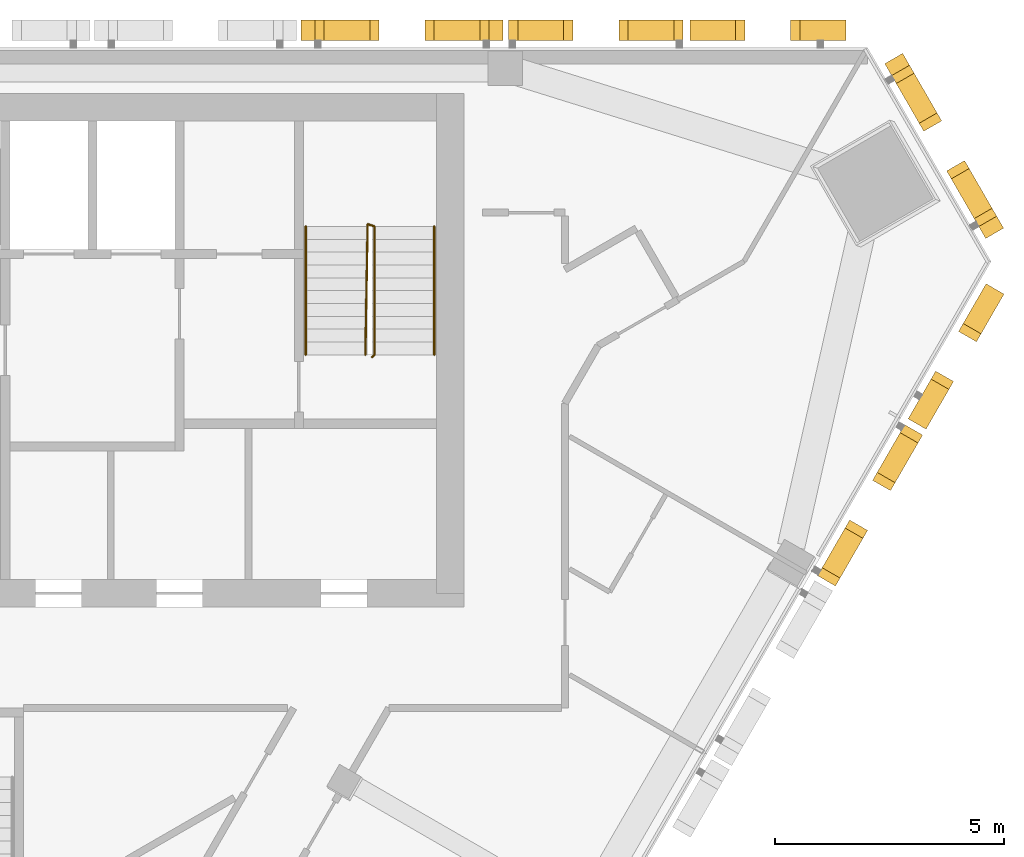
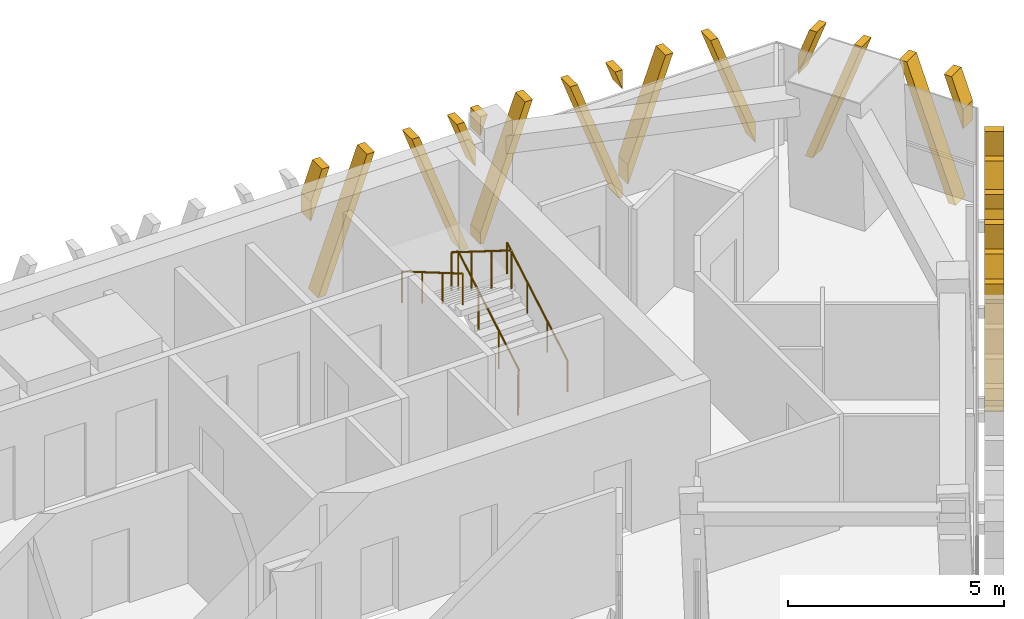
# One storey, part 13 of 14: 6 shading devices, 3 railings.
"""IFC4 building model written with IfcOpenShell, lengths in metres."""

from ifc_helpers import new_model, si_unit, direction, frame, origin, origin_2d, place, context, subcontext, project, spatial, polyline, circle, outline, extrude, source, transform, mapped, material, type_object, element, save


model = new_model("IFC4")

# Units and contexts
model_context = context("Model", 3, precision=1e-05, world=origin(), true_north=direction((0.0, 1.0)))
body_context = subcontext(model_context, "Body", "Model", "MODEL_VIEW")
ifc_project = project(units=[si_unit("LENGTHUNIT", "METRE"), si_unit("AREAUNIT", "SQUARE_METRE"), si_unit("VOLUMEUNIT", "CUBIC_METRE"), si_unit("PLANEANGLEUNIT", "RADIAN"), si_unit("MASSUNIT", "GRAM", prefix="KILO")], contexts=[model_context])

# Site, building, storey
site_placement = place(None, origin())
site = spatial("IfcSite", under=ifc_project, at=site_placement, CompositionType="ELEMENT")
building_placement = place(site_placement, origin())
building = spatial("IfcBuilding", under=site, at=building_placement, Name="Altiplano Prism Tower", CompositionType="ELEMENT")
storey_placement = place(building_placement, frame((0.0, 0.0, 242.800048828125)))
storey = spatial("IfcBuildingStorey", under=building, at=storey_placement, Name="L62", CompositionType="ELEMENT", Elevation=242.800048828125)

# Railings
ifc_material_1 = material(Name="Steel S355", Category="steel")
railing_type_1 = type_object("IfcRailingType", Name="Stair guard 1100", PredefinedType="GUARDRAIL", material=ifc_material_1)
railing_1_placement = place(storey_placement, frame((95.60009765625, 98.25, 0.0)))
element("IfcRailing", 1, at=railing_1_placement, inside=storey, type_object=railing_type_1, Name="L62 ST2 stair guard 1", PredefinedType="GUARDRAIL", context=body_context, shape_type="SweptSolid", body=[
    extrude(circle(Radius=0.02392578125, at=origin_2d()), frame((0.0, 0.0, 1.076171875), z_axis=(0.279546231943, 0.280916556609, 0.91811752648), x_axis=(-0.708833529934, 0.705375805398, 0.0)), (0.0, 0.0, 1.0), 0.17822265625),
    extrude(circle(Radius=0.02392578125, at=origin_2d()), frame((0.0498046875, 0.050048828125, 1.23974609375), z_axis=(0.0, 0.863360870873, 0.504586966384), x_axis=(-1.0, 0.0, 0.0)), (0.0, 0.0, 1.0), 3.2431640625),
    extrude(circle(Radius=0.02392578125, at=origin_2d()), frame((0.0498046875, 2.85009765625, 2.8759765625), z_axis=(-0.948991962702, 0.315300261223, 0.0), x_axis=(-0.315300261223, -0.948991962702, 0.0)), (0.0, 0.0, 1.0), 0.157958984375),
    extrude(circle(Radius=0.02392578125, at=origin_2d()), frame((-0.10009765625, 2.89990234375, 2.8759765625), z_axis=(-0.014846992469, -0.845409478506, 0.533912334065), x_axis=(0.999845825584, -0.017559187376, 0.0)), (0.0, 0.0, 1.0), 3.37109375),
    extrude(circle(Radius=0.02099609375, at=origin_2d()), origin(), (0.0, 0.0, 1.0), 1.052001953125),
    extrude(circle(Radius=0.02099609375, at=origin_2d()), frame((0.0498046875, 0.050048828125, 0.16357421875)), (0.0, 0.0, 1.0), 1.052001953125),
    extrude(circle(Radius=0.02099609375, at=origin_2d()), frame((0.0498046875, 0.9833984375, 0.708984375)), (0.0, 0.0, 1.0), 1.052001953125),
    extrude(circle(Radius=0.02099609375, at=origin_2d()), frame((0.0498046875, 1.916748046875, 1.254638671875)), (0.0, 0.0, 1.0), 1.052001953125),
    extrude(circle(Radius=0.02099609375, at=origin_2d()), frame((0.0498046875, 2.85009765625, 1.800048828125)), (0.0, 0.0, 1.0), 1.052001953125),
    extrude(circle(Radius=0.02099609375, at=origin_2d()), frame((-0.10009765625, 2.89990234375, 1.800048828125)), (0.0, 0.0, 1.0), 1.052001953125),
    extrude(circle(Radius=0.02099609375, at=origin_2d()), frame((-0.11669921875, 1.949951171875, 2.39990234375)), (0.0, 0.0, 1.0), 1.052001953125),
    extrude(circle(Radius=0.02099609375, at=origin_2d()), frame((-0.133544921875, 1.0, 3.0)), (0.0, 0.0, 1.0), 1.052001953125),
    extrude(circle(Radius=0.02099609375, at=origin_2d()), frame((-0.150146484375, 0.050048828125, 3.599853515625)), (0.0, 0.0, 1.0), 1.052001953125),
])
railing_type_2 = type_object("IfcRailingType", Name="Stair handrail 900", PredefinedType="HANDRAIL", material=ifc_material_1)
railing_2_placement = place(storey_placement, frame((96.949951171875, 98.300048828125, 0.16357421875)))
element("IfcRailing", 2, at=railing_2_placement, inside=storey, type_object=railing_type_2, Name="L62 ST2 stair handrail 1", PredefinedType="HANDRAIL", context=body_context, shape_type="SweptSolid", body=[
    extrude(circle(Radius=0.02392578125, at=origin_2d()), frame((0.0, 0.0, 0.8759765625), z_axis=(0.0, 0.863360870873, 0.504586966384), x_axis=(-1.0, 0.0, 0.0)), (0.0, 0.0, 1.0), 3.2431640625),
    extrude(circle(Radius=0.02099609375, at=origin_2d()), origin(), (0.0, 0.0, 1.0), 0.851806640625),
    extrude(circle(Radius=0.02099609375, at=origin_2d()), frame((0.0, 0.933349609375, 0.54541015625)), (0.0, 0.0, 1.0), 0.851806640625),
    extrude(circle(Radius=0.02099609375, at=origin_2d()), frame((0.0, 1.86669921875, 1.091064453125)), (0.0, 0.0, 1.0), 0.851806640625),
    extrude(circle(Radius=0.02099609375, at=origin_2d()), frame((0.0, 2.800048828125, 1.636474609375)), (0.0, 0.0, 1.0), 0.851806640625),
])
railing_3_placement = place(storey_placement, frame((94.14990234375, 101.10009765625, 1.963623046875)))
element("IfcRailing", 3, at=railing_3_placement, inside=storey, type_object=railing_type_2, Name="L62 ST2 stair handrail 2", PredefinedType="HANDRAIL", context=body_context, shape_type="SweptSolid", body=[
    extrude(circle(Radius=0.02392578125, at=origin_2d()), frame((0.0, 0.0, 0.8759765625), z_axis=(0.0, -0.863393664356, 0.504530851732), x_axis=(1.0, 0.0, 0.0)), (0.0, 0.0, 1.0), 3.2431640625),
    extrude(circle(Radius=0.02099609375, at=origin_2d()), origin(), (0.0, 0.0, 1.0), 0.851806640625),
    extrude(circle(Radius=0.02099609375, at=origin_2d()), frame((0.0, -0.933349609375, 0.54541015625)), (0.0, 0.0, 1.0), 0.851806640625),
    extrude(circle(Radius=0.02099609375, at=origin_2d()), frame((0.0, -1.86669921875, 1.0908203125)), (0.0, 0.0, 1.0), 0.851806640625),
    extrude(circle(Radius=0.02099609375, at=origin_2d()), frame((0.0, -2.800048828125, 1.63623046875)), (0.0, 0.0, 1.0), 0.851806640625),
])

# Shading devices
ifc_material_2 = material(Name="Warm limestone cast stone", Category="masonry")
shading_device_type_1 = type_object("IfcShadingDeviceType", Name="Stone fin panel, standard unit", PredefinedType="USERDEFINED", material=ifc_material_2)
shared_shape_1 = source(origin(), body_context, "Body", "SweptSolid", [
    extrude(outline(polyline([(-2.199951171875, 2.226318359375), (-1.699951171875, 3.60009765625), (-1.89990234375, 3.60009765625), (-2.199951171875, 2.77587890625), (-2.199951171875, 2.226318359375)])), frame((0.0, -0.14990234375, 0.0), z_axis=(0.0, -1.0, 0.0), x_axis=(1.0, 0.0, 0.0)), (0.0, 0.0, 1.0), 0.4501953125),
    extrude(outline(polyline([(-2.01025390625, 0.0), (-1.810302734375, 0.0), (-0.5, 3.60009765625), (-0.699951171875, 3.60009765625), (-2.01025390625, 0.0)])), frame((0.0, -0.14990234375, 0.0), z_axis=(0.0, -1.0, 0.0), x_axis=(1.0, 0.0, 0.0)), (0.0, 0.0, 1.0), 0.4501953125),
    extrude(outline(polyline([(1.810302734375, 0.0), (2.01025390625, 0.0), (0.699951171875, 3.60009765625), (0.5, 3.60009765625), (1.810302734375, 0.0)])), frame((0.0, -0.14990234375, 0.0), z_axis=(0.0, -1.0, 0.0), x_axis=(1.0, 0.0, 0.0)), (0.0, 0.0, 1.0), 0.4501953125),
    extrude(outline(polyline([(2.199951171875, 2.77587890625), (1.89990234375, 3.60009765625), (1.699951171875, 3.60009765625), (2.199951171875, 2.226318359375), (2.199951171875, 2.77587890625)])), frame((0.0, -0.14990234375, 0.0), z_axis=(0.0, -1.0, 0.0), x_axis=(1.0, 0.0, 0.0)), (0.0, 0.0, 1.0), 0.4501953125),
])
shading_device_1_placement = place(storey_placement, origin())
element("IfcShadingDevice", 4, at=shading_device_1_placement, inside=storey, type_object=shading_device_type_1, Name="Fin L62 north face 3", ObjectType="FIN", PredefinedType="USERDEFINED", context=body_context, shape_type="MappedRepresentation", body=[
    mapped(shared_shape_1, transform((96.25, 105.0, -0.400146484375), x_axis=(-1.0, 0.0, 0.0), y_axis=(0.0, -1.0, 0.0), z_axis=(0.0, 0.0, 1.0))),
])
shading_device_type_2 = type_object("IfcShadingDeviceType", Name="Stone fin panel, chamfer unit", PredefinedType="USERDEFINED", material=ifc_material_2)
shading_device_2_placement = place(storey_placement, origin())
element("IfcShadingDevice", 5, at=shading_device_2_placement, inside=storey, type_object=shading_device_type_2, Name="Fin L62 north-east chamfer 1", ObjectType="FIN", PredefinedType="USERDEFINED", context=body_context, shape_type="MappedRepresentation", body=[
    mapped(shared_shape_1, transform((107.74365234375, 102.667724609375, -0.400146484375), x_axis=(-0.500000014304, 0.866025395526, 0.0), y_axis=(-0.866025395526, -0.500000014304, 0.0), z_axis=(0.0, 0.0, 1.0))),
])
shading_device_type_3 = type_object("IfcShadingDeviceType", Name="Stone fin panel, narrow closing bay", PredefinedType="USERDEFINED", material=ifc_material_2)
shared_shape_2 = source(origin(), body_context, "Body", "SweptSolid", [
    extrude(outline(polyline([(-1.699951171875, 0.302978515625), (-0.5, 3.60009765625), (-0.699951171875, 3.60009765625), (-1.699951171875, 0.8525390625), (-1.699951171875, 0.302978515625)])), frame((0.0, -0.14990234375, 0.0), z_axis=(0.0, -1.0, 0.0), x_axis=(1.0, 0.0, 0.0)), (0.0, 0.0, 1.0), 0.4501953125),
    extrude(outline(polyline([(1.699951171875, 0.8525390625), (0.699951171875, 3.60009765625), (0.5, 3.60009765625), (1.699951171875, 0.302978515625), (1.699951171875, 0.8525390625)])), frame((0.0, -0.14990234375, 0.0), z_axis=(0.0, -1.0, 0.0), x_axis=(1.0, 0.0, 0.0)), (0.0, 0.0, 1.0), 0.4501953125),
])
shading_device_3_placement = place(storey_placement, origin())
element("IfcShadingDevice", 6, at=shading_device_3_placement, inside=storey, type_object=shading_device_type_3, Name="Fin L62 north face 1", ObjectType="FIN", PredefinedType="USERDEFINED", context=body_context, shape_type="MappedRepresentation", body=[
    mapped(shared_shape_2, transform((104.222900390625, 105.0, -0.400146484375), x_axis=(-1.0, 0.0, 0.0), y_axis=(0.0, -1.0, 0.0), z_axis=(0.0, 0.0, 1.0))),
])
shading_device_4_placement = place(storey_placement, origin())
element("IfcShadingDevice", 7, at=shading_device_4_placement, inside=storey, type_object=shading_device_type_3, Name="Fin L62 south-east face 10", ObjectType="FIN", PredefinedType="USERDEFINED", context=body_context, shape_type="MappedRepresentation", body=[
    mapped(shared_shape_2, transform((108.0029296875, 98.45263671875, -0.400146484375), x_axis=(0.500000003773, 0.866025401606, 0.0), y_axis=(-0.866025401606, 0.500000003773, 0.0), z_axis=(0.0, 0.0, 1.0))),
])
shared_shape_3 = source(origin(), body_context, "Body", "SweptSolid", [
    extrude(outline(polyline([(-1.89990234375, 0.0), (-1.810302734375, 0.0), (-0.5, 3.60009765625), (-0.699951171875, 3.60009765625), (-1.89990234375, 0.302978515625), (-1.89990234375, 0.0)])), frame((0.0, -0.14990234375, 0.0), z_axis=(0.0, -1.0, 0.0), x_axis=(1.0, 0.0, 0.0)), (0.0, 0.0, 1.0), 0.4501953125),
    extrude(outline(polyline([(-1.89990234375, 3.050537109375), (-1.699951171875, 3.60009765625), (-1.89990234375, 3.60009765625), (-1.89990234375, 3.050537109375)])), frame((0.0, -0.14990234375, 0.0), z_axis=(0.0, -1.0, 0.0), x_axis=(1.0, 0.0, 0.0)), (0.0, 0.0, 1.0), 0.4501953125),
    extrude(outline(polyline([(1.810302734375, 0.0), (1.89990234375, 0.0), (1.89990234375, 0.302978515625), (0.699951171875, 3.60009765625), (0.5, 3.60009765625), (1.810302734375, 0.0)])), frame((0.0, -0.14990234375, 0.0), z_axis=(0.0, -1.0, 0.0), x_axis=(1.0, 0.0, 0.0)), (0.0, 0.0, 1.0), 0.4501953125),
    extrude(outline(polyline([(1.89990234375, 3.60009765625), (1.699951171875, 3.60009765625), (1.89990234375, 3.050537109375), (1.89990234375, 3.60009765625)])), frame((0.0, -0.14990234375, 0.0), z_axis=(0.0, -1.0, 0.0), x_axis=(1.0, 0.0, 0.0)), (0.0, 0.0, 1.0), 0.4501953125),
])
shading_device_5_placement = place(storey_placement, origin())
element("IfcShadingDevice", 8, at=shading_device_5_placement, inside=storey, type_object=shading_device_type_3, Name="Fin L62 north face 2", ObjectType="FIN", PredefinedType="USERDEFINED", context=body_context, shape_type="MappedRepresentation", body=[
    mapped(shared_shape_3, transform((100.474365234375, 105.0, -0.400146484375), x_axis=(-1.0, 0.0, 0.0), y_axis=(0.0, -1.0, 0.0), z_axis=(0.0, 0.0, 1.0))),
])
shading_device_6_placement = place(storey_placement, origin())
element("IfcShadingDevice", 9, at=shading_device_6_placement, inside=storey, type_object=shading_device_type_3, Name="Fin L62 south-east face 9", ObjectType="FIN", PredefinedType="USERDEFINED", context=body_context, shape_type="MappedRepresentation", body=[
    mapped(shared_shape_3, transform((106.128662109375, 95.206298828125, -0.400146484375), x_axis=(0.500000003773, 0.866025401606, 0.0), y_axis=(-0.866025401606, 0.500000003773, 0.0), z_axis=(0.0, 0.0, 1.0))),
])

save(model, "model.ifc")
